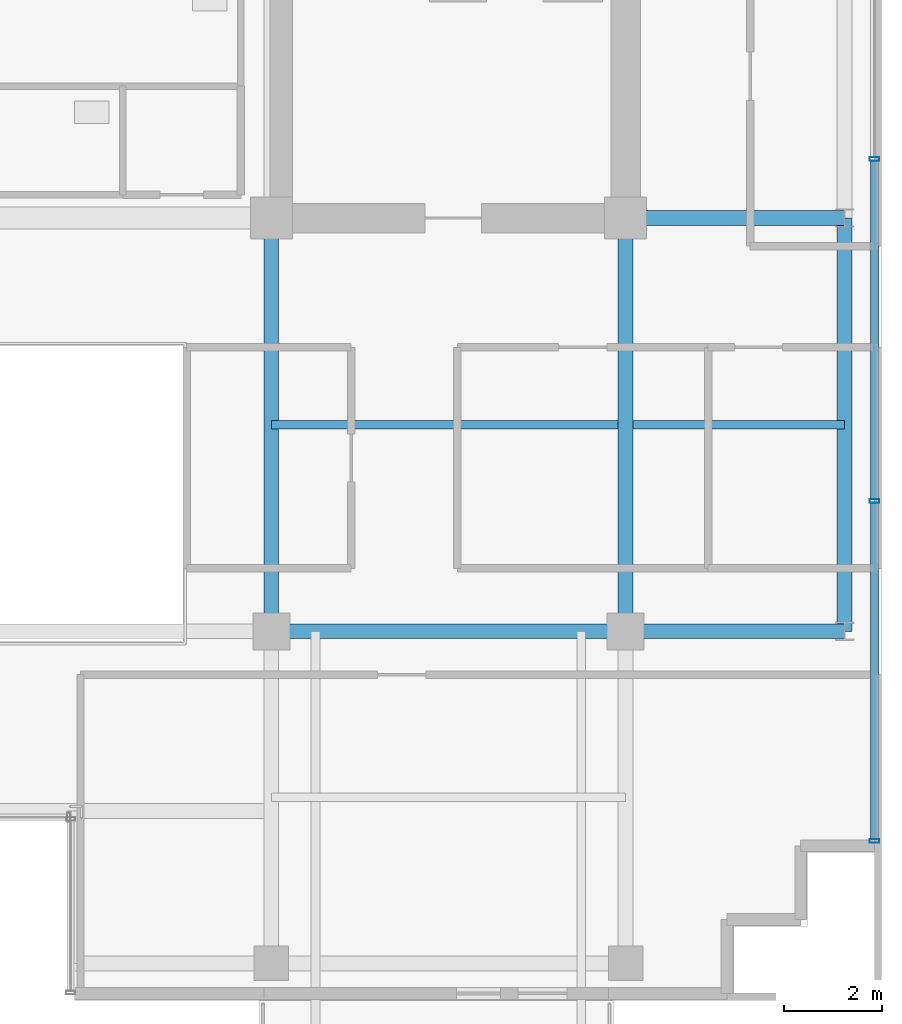
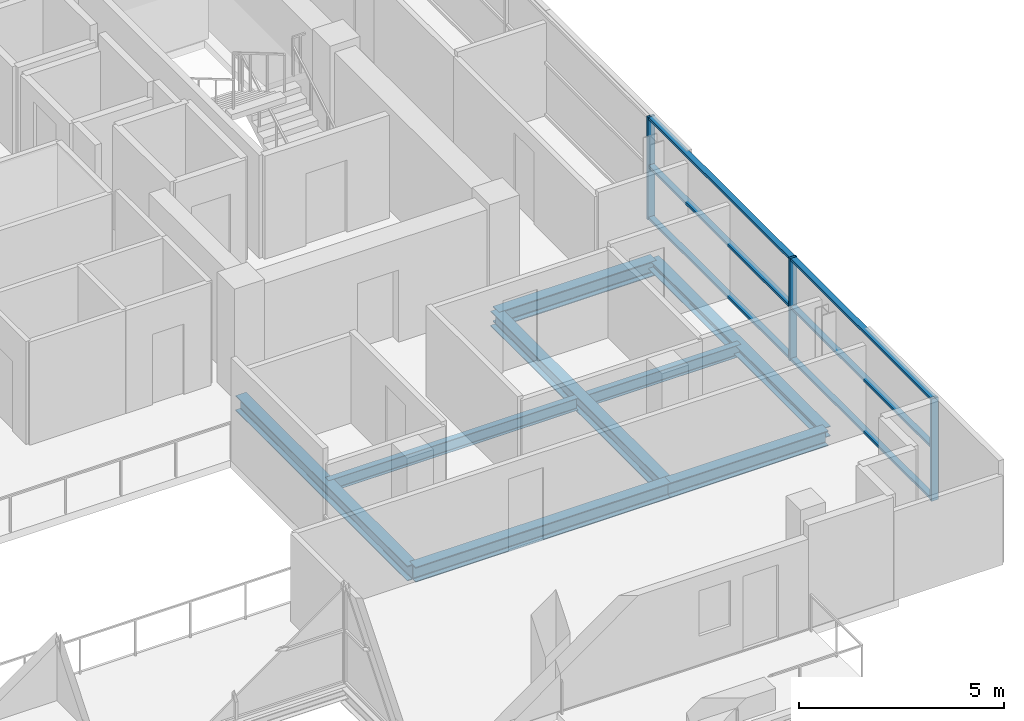
# One storey, part 8 of 22: 9 members, 8 beams, 1 element without a shape of its own.
"""IFC4 building model written with IfcOpenShell, lengths in metres."""

from ifc_helpers import new_model, si_unit, direction, frame, origin, origin_2d, place, context, subcontext, project, spatial, hollow_rectangle, i_section, extrude, source, transform, mapped, material, layer, layer_set, material_profile, profile_set, type_object, element, aggregate, save


model = new_model("IFC4")

# Units and contexts
model_context = context("Model", 3, precision=1e-05, world=origin(), true_north=direction((0.0, 1.0)))
body_context = subcontext(model_context, "Body", "Model", "MODEL_VIEW")
ifc_project = project(units=[si_unit("LENGTHUNIT", "METRE"), si_unit("AREAUNIT", "SQUARE_METRE"), si_unit("VOLUMEUNIT", "CUBIC_METRE"), si_unit("PLANEANGLEUNIT", "RADIAN"), si_unit("MASSUNIT", "GRAM", prefix="KILO")], contexts=[model_context])

# Site, building, storey
site_placement = place(None, origin())
site = spatial("IfcSite", under=ifc_project, at=site_placement, CompositionType="ELEMENT")
building_placement = place(site_placement, origin())
building = spatial("IfcBuilding", under=site, at=building_placement, Name="Zarnakvel Exchange Tower", CompositionType="ELEMENT")
storey_placement = place(building_placement, frame((0.0, 0.0, 215.5)))
storey = spatial("IfcBuildingStorey", under=building, at=storey_placement, Name="L60", CompositionType="ELEMENT", Elevation=215.5)

# Beams
ifc_material_1 = material(Name="Steel S355", Category="steel")
ifc_material_profile_1 = material_profile(ifc_material_1, i_section(OverallWidth=0.169921875, OverallDepth=0.360107421875, WebThickness=0.008056640625, FlangeThickness=0.0126953125, FilletRadius=0.01806640625, at=origin_2d()))
ifc_profile_set_1 = profile_set([ifc_material_profile_1], Name="Steel S355")
beam_type_1 = type_object("IfcBeamType", Name="B-07", PredefinedType="JOIST", material=ifc_profile_set_1)
beam_1_placement = place(storey_placement, frame((7.199951171875, -5.39990234375, -0.405029296875), z_axis=(1.0, 0.0, 0.0), x_axis=(0.0, 1.0, 0.0)))
element("IfcBeam", 1, at=beam_1_placement, inside=storey, type_object=beam_type_1, Name="L60 Composite Floor Secondary Joist", PredefinedType="JOIST", context=body_context, shape_type="SweptSolid", body=[
    extrude(i_section(OverallWidth=0.169921875, OverallDepth=0.360107421875, WebThickness=0.008056640625, FlangeThickness=0.0126953125, FilletRadius=0.01806640625, at=origin_2d()), origin(), (0.0, 0.0, 1.0), 7.050048828125),
])
beam_2_placement = place(storey_placement, frame((14.550048828125, -5.39990234375, -0.405029296875), z_axis=(1.0, 0.0, 0.0), x_axis=(0.0, 1.0, 0.0)))
element("IfcBeam", 2, at=beam_2_placement, inside=storey, type_object=beam_type_1, Name="L60 Composite Floor Secondary Joist", PredefinedType="JOIST", context=body_context, shape_type="SweptSolid", body=[
    extrude(i_section(OverallWidth=0.169921875, OverallDepth=0.360107421875, WebThickness=0.008056640625, FlangeThickness=0.0126953125, FilletRadius=0.01806640625, at=origin_2d()), origin(), (0.0, 0.0, 1.0), 4.300048828125),
])
ifc_material_profile_2 = material_profile(ifc_material_1, i_section(OverallWidth=0.300048828125, OverallDepth=0.449951171875, WebThickness=0.013916015625, FlangeThickness=0.02587890625, FilletRadius=0.027099609375, at=origin_2d()))
ifc_profile_set_2 = profile_set([ifc_material_profile_2], Name="Steel S355")
beam_type_2 = type_object("IfcBeamType", Name="G-07", PredefinedType="BEAM", material=ifc_profile_set_2)
beam_3_placement = place(storey_placement, frame((7.199951171875, -9.60009765625, -0.449951171875), z_axis=(1.0, 0.0, 0.0), x_axis=(0.0, 1.0, 0.0)))
element("IfcBeam", 3, at=beam_3_placement, inside=storey, type_object=beam_type_2, Name="L60 Tower E-W Frame Beam", PredefinedType="BEAM", context=body_context, shape_type="SweptSolid", body=[
    extrude(i_section(OverallWidth=0.300048828125, OverallDepth=0.449951171875, WebThickness=0.013916015625, FlangeThickness=0.02587890625, FilletRadius=0.027099609375, at=origin_2d()), origin(), (0.0, 0.0, 1.0), 7.199951171875),
])
for number, where, z_axis, x_axis, name in (
    (4, (14.39990234375, -9.60009765625, -0.449951171875), (1.0, 0.0, 0.0), (0.0, 1.0, 0.0), "L60 Tower E-W Frame Beam"),
    (5, (14.39990234375, -1.199951171875, -0.449951171875), (1.0, 0.0, 0.0), (0.0, 1.0, 0.0), "L60 Tower E-W Frame Beam"),
):
    element("IfcBeam", number, at=place(storey_placement, frame(where, z_axis=z_axis, x_axis=x_axis)), inside=storey, type_object=beam_type_2, Name=name, PredefinedType="BEAM", context=body_context, shape_type="SweptSolid", body=[
        extrude(i_section(OverallWidth=0.300048828125, OverallDepth=0.449951171875, WebThickness=0.013916015625, FlangeThickness=0.02587890625, FilletRadius=0.027099609375, at=origin_2d()), origin(), (0.0, 0.0, 1.0), 4.4501953125),
    ])
for number, where, z_axis, x_axis, name in (
    (6, (7.199951171875, -9.60009765625, -0.449951171875), (0.0, 1.0, 0.0), (-1.0, 0.0, 0.0), "L60 Tower N-S Frame Beam"),
    (7, (14.39990234375, -9.60009765625, -0.449951171875), (0.0, 1.0, 0.0), (-1.0, 0.0, 0.0), "L60 Tower N-S Frame Beam"),
):
    element("IfcBeam", number, at=place(storey_placement, frame(where, z_axis=z_axis, x_axis=x_axis)), inside=storey, type_object=beam_type_2, Name=name, PredefinedType="BEAM", context=body_context, shape_type="SweptSolid", body=[
        extrude(i_section(OverallWidth=0.300048828125, OverallDepth=0.449951171875, WebThickness=0.013916015625, FlangeThickness=0.02587890625, FilletRadius=0.027099609375, at=origin_2d()), origin(), (0.0, 0.0, 1.0), 8.400146484375),
    ])
ifc_material_profile_3 = material_profile(ifc_material_1, i_section(OverallWidth=0.300048828125, OverallDepth=0.300048828125, WebThickness=0.010986328125, FlangeThickness=0.01904296875, FilletRadius=0.027099609375, at=origin_2d()))
ifc_profile_set_3 = profile_set([ifc_material_profile_3], Name="Steel S355")
beam_type_3 = type_object("IfcBeamType", Name="SP-03", PredefinedType="SPANDREL", material=ifc_profile_set_3)
beam_4_placement = place(storey_placement, frame((18.85009765625, -9.60009765625, -0.375), z_axis=(0.0, 1.0, 0.0), x_axis=(-1.0, 0.0, 0.0)))
element("IfcBeam", 8, at=beam_4_placement, inside=storey, type_object=beam_type_3, Name="L60 Tower N-S Frame Beam", PredefinedType="SPANDREL", context=body_context, shape_type="SweptSolid", body=[
    extrude(i_section(OverallWidth=0.300048828125, OverallDepth=0.300048828125, WebThickness=0.010986328125, FlangeThickness=0.01904296875, FilletRadius=0.027099609375, at=origin_2d()), origin(), (0.0, 0.0, 1.0), 8.400146484375),
])

# Curtain wall, members
ifc_material_2 = material(Name="Architectural Bronze Anodised Aluminium", Category="aluminium")
ifc_layer = layer(ifc_material_2, 0.199951171875)
ifc_layer_set = layer_set([ifc_layer], Name="Architectural Bronze Anodised Aluminium")
curtain_wall_type = type_object("IfcCurtainWallType", Name="CW-04", PredefinedType="NOTDEFINED", material=ifc_layer_set)
curtain_wall_placement = place(storey_placement, origin())
curtain_wall = element("IfcCurtainWall", 9, at=curtain_wall_placement, inside=storey, type_object=curtain_wall_type, Name="L60 Curtain Wall CW-L60-E1 (CW-04)", PredefinedType="NOTDEFINED")
ifc_material_profile_4 = material_profile(ifc_material_2, hollow_rectangle(XDim=0.199951171875, YDim=0.074951171875, WallThickness=0.0048828125, at=origin_2d()))
ifc_profile_set_4 = profile_set([ifc_material_profile_4], Name="Architectural Bronze Anodised Aluminium")
member_type_1 = type_object("IfcMemberType", Name="CWM-04", PredefinedType="MULLION", material=ifc_profile_set_4)
shared_shape_1 = source(origin(), body_context, "Body", "SweptSolid", [
    extrude(hollow_rectangle(XDim=0.199951171875, YDim=0.074951171875, WallThickness=0.0048828125, at=origin_2d()), origin(), (0.0, 0.0, 1.0), 3.054931640625),
])
member_1_placement = place(storey_placement, frame((19.4599609375, -13.862548828125, 0.0), z_axis=(0.0, 0.0, 1.0), x_axis=(-1.0, 0.0, 0.0)))
member_1 = element("IfcMember", 10, at=member_1_placement, type_object=member_type_1, Name="CW-04 mullion 1", PredefinedType="MULLION", context=body_context, shape_type="MappedRepresentation", body=[
    mapped(shared_shape_1, transform((0.0, 0.0, 0.0), x_axis=(1.0, 0.0, 0.0), y_axis=(0.0, 1.0, 0.0), z_axis=(0.0, 0.0, 1.0), scale=1.0)),
])
member_2_placement = place(storey_placement, frame((19.4599609375, -6.949951171875, 0.0), z_axis=(0.0, 0.0, 1.0), x_axis=(-1.0, 0.0, 0.0)))
member_2 = element("IfcMember", 11, at=member_2_placement, type_object=member_type_1, Name="CW-04 mullion 2", PredefinedType="MULLION", context=body_context, shape_type="MappedRepresentation", body=[
    mapped(shared_shape_1, transform((0.0, 0.0, 0.0), x_axis=(1.0, 0.0, 0.0), y_axis=(0.0, 1.0, 0.0), z_axis=(0.0, 0.0, 1.0), scale=1.0)),
])
member_3_placement = place(storey_placement, frame((19.4599609375, 0.0, 0.0), z_axis=(0.0, 0.0, 1.0), x_axis=(-1.0, 0.0, 0.0)))
member_3 = element("IfcMember", 12, at=member_3_placement, type_object=member_type_1, Name="CW-04 mullion 3", PredefinedType="MULLION", context=body_context, shape_type="MappedRepresentation", body=[
    mapped(shared_shape_1, transform((0.0, 0.0, 0.0), x_axis=(1.0, 0.0, 0.0), y_axis=(0.0, 1.0, 0.0), z_axis=(0.0, 0.0, 1.0), scale=1.0)),
])
ifc_material_profile_5 = material_profile(ifc_material_2, hollow_rectangle(XDim=0.159912109375, YDim=0.074951171875, WallThickness=0.00390625, at=origin_2d()))
ifc_profile_set_5 = profile_set([ifc_material_profile_5], Name="Architectural Bronze Anodised Aluminium")
member_type_2 = type_object("IfcMemberType", Name="CWT-04", PredefinedType="USERDEFINED", material=ifc_profile_set_5)
shared_shape_2 = source(origin(), body_context, "Body", "SweptSolid", [
    extrude(hollow_rectangle(XDim=0.159912109375, YDim=0.074951171875, WallThickness=0.00390625, at=origin_2d()), origin(), (0.0, 0.0, 1.0), 6.83740234375),
])
member_4_placement = place(storey_placement, frame((19.4599609375, -13.824951171875, 0.03759765625), z_axis=(0.0, 1.0, 0.0), x_axis=(-1.0, 0.0, 0.0)))
member_4 = element("IfcMember", 13, at=member_4_placement, type_object=member_type_2, Name="CW-04 transom 1.1", ObjectType="TRANSOM", PredefinedType="USERDEFINED", context=body_context, shape_type="MappedRepresentation", body=[
    mapped(shared_shape_2, transform((0.0, 0.0, 0.0), x_axis=(1.0, 0.0, 0.0), y_axis=(0.0, 1.0, 0.0), z_axis=(0.0, 0.0, 1.0), scale=1.0)),
])
member_5_placement = place(storey_placement, frame((19.4599609375, -13.824951171875, 1.588623046875), z_axis=(0.0, 1.0, 0.0), x_axis=(-1.0, 0.0, 0.0)))
member_5 = element("IfcMember", 14, at=member_5_placement, type_object=member_type_2, Name="CW-04 transom 1.2", ObjectType="TRANSOM", PredefinedType="USERDEFINED", context=body_context, shape_type="MappedRepresentation", body=[
    mapped(shared_shape_2, transform((0.0, 0.0, 0.0), x_axis=(1.0, 0.0, 0.0), y_axis=(0.0, 1.0, 0.0), z_axis=(0.0, 0.0, 1.0), scale=1.0)),
])
member_6_placement = place(storey_placement, frame((19.4599609375, -13.824951171875, 3.017578125), z_axis=(0.0, 1.0, 0.0), x_axis=(-1.0, 0.0, 0.0)))
member_6 = element("IfcMember", 15, at=member_6_placement, type_object=member_type_2, Name="CW-04 transom 1.3", ObjectType="TRANSOM", PredefinedType="USERDEFINED", context=body_context, shape_type="MappedRepresentation", body=[
    mapped(shared_shape_2, transform((0.0, 0.0, 0.0), x_axis=(1.0, 0.0, 0.0), y_axis=(0.0, 1.0, 0.0), z_axis=(0.0, 0.0, 1.0), scale=1.0)),
])
shared_shape_3 = source(origin(), body_context, "Body", "SweptSolid", [
    extrude(hollow_rectangle(XDim=0.159912109375, YDim=0.074951171875, WallThickness=0.00390625, at=origin_2d()), origin(), (0.0, 0.0, 1.0), 6.875),
])
member_7_placement = place(storey_placement, frame((19.4599609375, -6.91259765625, 0.03759765625), z_axis=(0.0, 1.0, 0.0), x_axis=(-1.0, 0.0, 0.0)))
member_7 = element("IfcMember", 16, at=member_7_placement, type_object=member_type_2, Name="CW-04 transom 2.1", ObjectType="TRANSOM", PredefinedType="USERDEFINED", context=body_context, shape_type="MappedRepresentation", body=[
    mapped(shared_shape_3, transform((0.0, 0.0, 0.0), x_axis=(1.0, 0.0, 0.0), y_axis=(0.0, 1.0, 0.0), z_axis=(0.0, 0.0, 1.0), scale=1.0)),
])
member_8_placement = place(storey_placement, frame((19.4599609375, -6.91259765625, 1.588623046875), z_axis=(0.0, 1.0, 0.0), x_axis=(-1.0, 0.0, 0.0)))
member_8 = element("IfcMember", 17, at=member_8_placement, type_object=member_type_2, Name="CW-04 transom 2.2", ObjectType="TRANSOM", PredefinedType="USERDEFINED", context=body_context, shape_type="MappedRepresentation", body=[
    mapped(shared_shape_3, transform((0.0, 0.0, 0.0), x_axis=(1.0, 0.0, 0.0), y_axis=(0.0, 1.0, 0.0), z_axis=(0.0, 0.0, 1.0), scale=1.0)),
])
member_9_placement = place(storey_placement, frame((19.4599609375, -6.91259765625, 3.017578125), z_axis=(0.0, 1.0, 0.0), x_axis=(-1.0, 0.0, 0.0)))
member_9 = element("IfcMember", 18, at=member_9_placement, type_object=member_type_2, Name="CW-04 transom 2.3", ObjectType="TRANSOM", PredefinedType="USERDEFINED", context=body_context, shape_type="MappedRepresentation", body=[
    mapped(shared_shape_3, transform((0.0, 0.0, 0.0), x_axis=(1.0, 0.0, 0.0), y_axis=(0.0, 1.0, 0.0), z_axis=(0.0, 0.0, 1.0), scale=1.0)),
])
aggregate(curtain_wall, [member_1, member_2, member_3, member_4, member_5, member_6, member_7, member_8, member_9])

save(model, "model.ifc")
